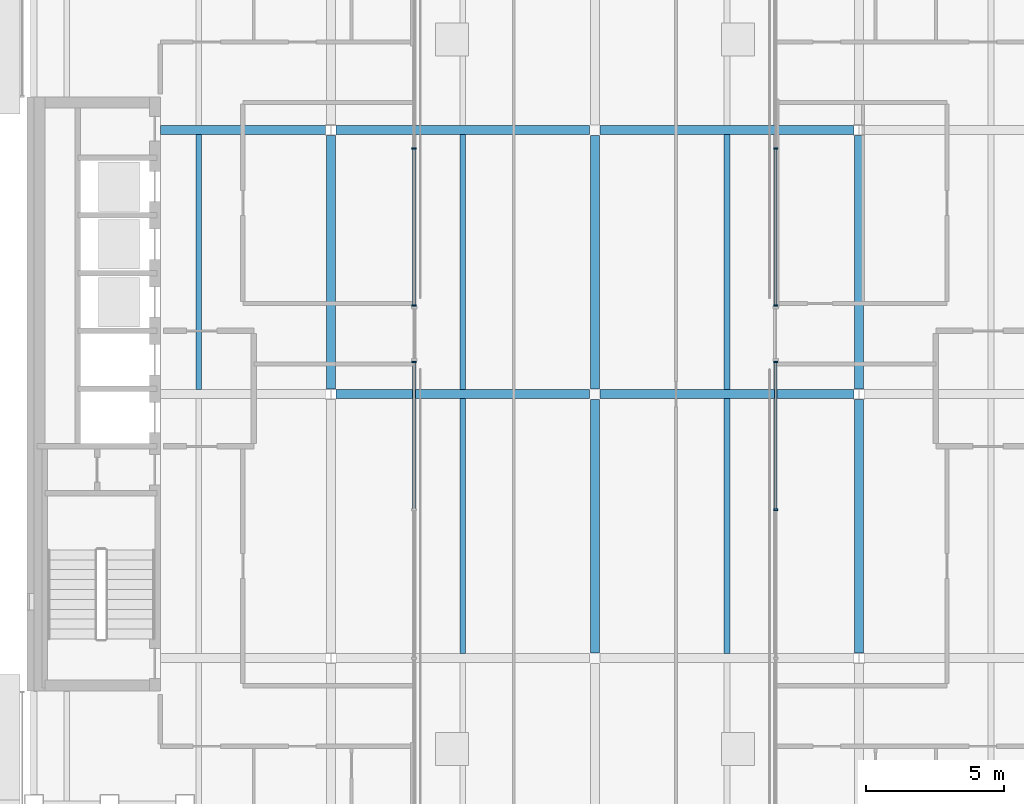
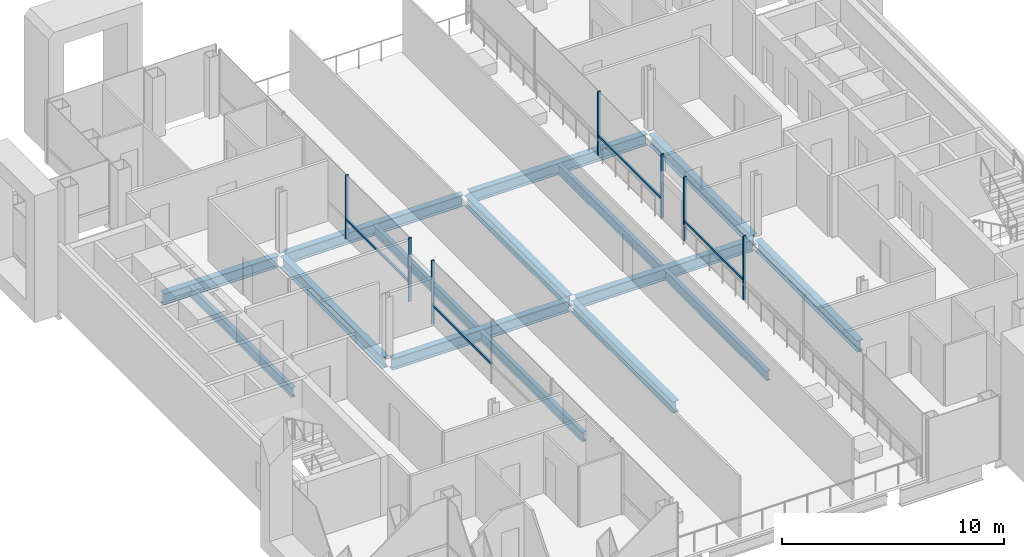
# One storey, part 5 of 17: 15 beams, 11 members, 4 elements without a shape of their own.
"""IFC4 building model written with IfcOpenShell, lengths in metres."""

import ifcopenshell
import ifcopenshell.guid

model = None  # the IFC model being written
_history = None  # IfcOwnerHistory: only IFC2X3 demands one
_inside = {}  # id of a spatial element -> (the spatial element, [elements in it])
_under = {}  # id of a project, library or spatial element -> (it, [spatial elements below it])
_declared = {}  # id of a project -> (the project, [libraries it declares])
_typed = {}  # id of a type object -> (the type object, [elements of that type])
_made_of = {}  # id of a material, layer set ... -> (it, [elements and type objects made of it])


def new_model(schema):
    """Start an empty IFC model of exactly this schema.

    Asked for "IFC4X3", IfcOpenShell would pick the latest addendum, in which some entities
    have other attributes; the version numbers below select the first issue.
    IFC2X3 requires an IfcOwnerHistory on every rooted entity: one is made here for all.
    """
    global model, _history
    if schema == "IFC4X3":
        model = ifcopenshell.file(schema_version=(4, 3, 0, 0))
    else:
        model = ifcopenshell.file(schema=schema)
    _inside.clear()
    _under.clear()
    _declared.clear()
    _typed.clear()
    _made_of.clear()
    _history = None
    if model.schema == "IFC2X3":
        org = make("IfcOrganization", Name="unknown")
        user = make(
            "IfcPersonAndOrganization",
            ThePerson=make("IfcPerson", FamilyName="unknown"),
            TheOrganization=org,
        )
        app = make(
            "IfcApplication",
            ApplicationDeveloper=org,
            Version="unknown",
            ApplicationFullName="unknown",
            ApplicationIdentifier="unknown",
        )
        _history = make(
            "IfcOwnerHistory",
            OwningUser=user,
            OwningApplication=app,
            ChangeAction="ADDED",
            CreationDate=0,
        )
    return model


def make(cls, **values):
    """One entity of the class cls with the attributes given. An attribute that is None is left unset."""
    return model.create_entity(
        cls, **{name: value for name, value in values.items() if value is not None}
    )


def rooted(cls, **values):
    """An entity with a GlobalId (a new one), such as an element, a storey or a relation."""
    return make(cls, GlobalId=ifcopenshell.guid.new(), OwnerHistory=_history, **values)


def si_unit(unit_type, name, prefix=None):
    """IfcSIUnit, for example si_unit("LENGTHUNIT", "METRE", prefix="MILLI")."""
    return make("IfcSIUnit", UnitType=unit_type, Prefix=prefix, Name=name)


def assignment(units):
    """IfcUnitAssignment: the units of a project."""
    return None if units is None else make("IfcUnitAssignment", Units=units)


def point(xyz):
    """IfcCartesianPoint."""
    return None if xyz is None else make("IfcCartesianPoint", Coordinates=xyz)


def direction(xyz):
    """IfcDirection."""
    return None if xyz is None else make("IfcDirection", DirectionRatios=xyz)


def frame(location, z_axis=None, x_axis=None):
    """IfcAxis2Placement3D, a coordinate frame: its origin and axes. An axis left out is left unset."""
    return make(
        "IfcAxis2Placement3D",
        Location=point(location),
        Axis=direction(z_axis),
        RefDirection=direction(x_axis),
    )


def frame_2d(location, x_axis=None):
    """IfcAxis2Placement2D, a coordinate frame in the plane: its origin and x axis."""
    return make(
        "IfcAxis2Placement2D", Location=point(location), RefDirection=direction(x_axis)
    )


def origin():
    """The frame at (0, 0, 0) with its axes left unset."""
    return frame((0.0, 0.0, 0.0))


def origin_2d():
    """The frame at (0, 0) in the plane with its x axis left unset."""
    return frame_2d((0.0, 0.0))


def place(relative_to, where):
    """IfcLocalPlacement: puts the frame where relative to a parent placement (None: the world)."""
    return make(
        "IfcLocalPlacement", PlacementRelTo=relative_to, RelativePlacement=where
    )


def context(
    kind, dimensions, precision=None, world=None, true_north=None, identifier=None
):
    """IfcGeometricRepresentationContext, for example the 3D "Model" context."""
    return make(
        "IfcGeometricRepresentationContext",
        ContextIdentifier=identifier,
        ContextType=kind,
        CoordinateSpaceDimension=dimensions,
        Precision=precision,
        WorldCoordinateSystem=world,
        TrueNorth=true_north,
    )


def subcontext(parent, identifier, kind, view, scale=None):
    """IfcGeometricRepresentationSubContext, for example "Body" below "Model"."""
    return make(
        "IfcGeometricRepresentationSubContext",
        ContextIdentifier=identifier,
        ContextType=kind,
        ParentContext=parent,
        TargetScale=scale,
        TargetView=view,
    )


def project(units=None, contexts=None):
    """IfcProject with its units and contexts."""
    return rooted(
        "IfcProject",
        Name="project",
        RepresentationContexts=contexts,
        UnitsInContext=assignment(units),
    )


def spatial(cls, under=None, at=None, **own):
    """A site, building, storey or space (cls), placed at a placement, below another one or the project."""
    s = rooted(cls, ObjectPlacement=at, **own)
    if under is not None:
        _under.setdefault(under.id(), (under, []))[1].append(s)
    return s


def profile(cls, at=None, kind="AREA", **sizes):
    """A parametric profile (cls). Its sizes go by their IFC names, for example OverallWidth=200.0."""
    return make(cls, ProfileType=kind, Position=at, **sizes)


def rectangle(**sizes):
    """IfcRectangleProfileDef."""
    return profile("IfcRectangleProfileDef", **sizes)


def i_section(**sizes):
    """IfcIShapeProfileDef."""
    return profile("IfcIShapeProfileDef", **sizes)


def extrude(swept, where, along, depth):
    """IfcExtrudedAreaSolid: the profile swept, set in the frame where, extruded along a direction by depth."""
    return make(
        "IfcExtrudedAreaSolid",
        SweptArea=swept,
        Position=where,
        ExtrudedDirection=direction(along),
        Depth=depth,
    )


def shape(context_of_items, identifier, shape_type, items):
    """IfcShapeRepresentation: the items that make up one representation, for example the "Body"."""
    return make(
        "IfcShapeRepresentation",
        ContextOfItems=context_of_items,
        RepresentationIdentifier=identifier,
        RepresentationType=shape_type,
        Items=items,
    )


def material(Name=None, Category=None):
    """IfcMaterial."""
    return make("IfcMaterial", Name=Name, Category=Category)


def material_profile(
    of_material, cross_section, Name=None, Category=None, Priority=None
):
    """IfcMaterialProfile: a cross section and its material."""
    return make(
        "IfcMaterialProfile",
        Name=Name,
        Material=of_material,
        Profile=cross_section,
        Priority=Priority,
        Category=Category,
    )


def profile_set(profiles, Name=None, composite=None):
    """IfcMaterialProfileSet."""
    return make(
        "IfcMaterialProfileSet",
        Name=Name,
        MaterialProfiles=profiles,
        CompositeProfile=composite,
    )


def made_of(thing, what):
    """Note that an element or type object is made of a material, layer set ...; save() writes the relation."""
    if what is not None:
        _made_of.setdefault(what.id(), (what, []))[1].append(thing)
    return thing


def type_object(cls, material=None, **own):
    """A type object (cls), such as IfcWallType, which elements share."""
    return made_of(rooted(cls, **own), material)


def element(
    cls,
    number,
    at=None,
    inside=None,
    cuts=None,
    type_object=None,
    material=None,
    context=None,
    identifier="Body",
    shape_type=None,
    held_by="IfcProductDefinitionShape",
    body=None,
    shapes=None,
    **own,
):
    """One element of the class cls, such as IfcWall. Its Tag is "e" and its number.

    at: its placement. inside: the storey or other place that contains it. cuts: it is an
    opening in that element (IfcRelVoidsElement). A single representation is given by context,
    identifier, shape_type and body (its items); several are given by shapes. held_by: the class
    of the entity that holds the representations. save() writes the other relations.
    """
    e = rooted(cls, Tag="e%d" % number, ObjectPlacement=at, **own)
    if body is not None:
        shapes = [shape(context, identifier, shape_type, body)]
    if shapes is not None:
        e.Representation = make(held_by, Representations=shapes)
    if inside is not None:
        _inside.setdefault(inside.id(), (inside, []))[1].append(e)
    if cuts is not None:
        rooted(
            "IfcRelVoidsElement", RelatingBuildingElement=cuts, RelatedOpeningElement=e
        )
    if type_object is not None:
        _typed.setdefault(type_object.id(), (type_object, []))[1].append(e)
    return made_of(e, material)


def aggregate(whole, parts):
    """IfcRelAggregates: a whole, such as a stair, and the parts it consists of."""
    return rooted("IfcRelAggregates", RelatingObject=whole, RelatedObjects=parts)


def save(model, path):
    """Write the relations noted so far, then the file.

    IfcRelAggregates (storeys below a building ...), IfcRelContainedInSpatialStructure (elements
    in a storey), IfcRelDefinesByType, IfcRelAssociatesMaterial and IfcRelDeclares: one each for
    every whole, place, type object, material and project.
    """
    for whole, parts in _under.values():
        aggregate(whole, parts)
    for where, things in _inside.values():
        rooted(
            "IfcRelContainedInSpatialStructure",
            RelatedElements=things,
            RelatingStructure=where,
        )
    for kind, things in _typed.values():
        rooted("IfcRelDefinesByType", RelatedObjects=things, RelatingType=kind)
    for what, things in _made_of.values():
        rooted("IfcRelAssociatesMaterial", RelatedObjects=things, RelatingMaterial=what)
    for by, libraries in _declared.values():
        rooted("IfcRelDeclares", RelatingContext=by, RelatedDefinitions=libraries)
    model.write(path)


model = new_model("IFC4")

# Units and contexts
model_context = context("Model", 3, precision=1e-05, world=origin(), true_north=direction((0.0, 1.0)))
body_context = subcontext(model_context, "Body", "Model", "MODEL_VIEW")
ifc_project = project(units=[si_unit("LENGTHUNIT", "METRE"), si_unit("AREAUNIT", "SQUARE_METRE"), si_unit("VOLUMEUNIT", "CUBIC_METRE"), si_unit("PLANEANGLEUNIT", "RADIAN"), si_unit("MASSUNIT", "GRAM", prefix="KILO")], contexts=[model_context])

# Site, building, storey
site_placement = place(None, origin())
site = spatial("IfcSite", under=ifc_project, at=site_placement, CompositionType="ELEMENT")
building_placement = place(site_placement, origin())
building = spatial("IfcBuilding", under=site, at=building_placement, Name="Cobrizo Arcos Hotel Tower", CompositionType="ELEMENT")
storey_placement = place(building_placement, frame((0.0, 0.0, 219.0)))
storey = spatial("IfcBuildingStorey", under=building, at=storey_placement, Name="L57", CompositionType="ELEMENT", Elevation=219.0)

# Curtain wall, members
ifc_material_1 = material(Name="Aluminium 6063-T6 anodised bronze", Category="aluminium")
curtain_wall_type = type_object("IfcCurtainWallType", Name="CW-F void screen", PredefinedType="NOTDEFINED", material=ifc_material_1)
curtain_wall_1_placement = place(storey_placement, origin())
curtain_wall_1 = element("IfcCurtainWall", 1, at=curtain_wall_1_placement, inside=storey, type_object=curtain_wall_type, Name="CW-F L57 void screen C", PredefinedType="NOTDEFINED")
ifc_material_profile_1 = material_profile(ifc_material_1, rectangle(XDim=0.14990234375, YDim=0.06005859375, at=origin_2d()), Name="CW-F mullion 150x60")
ifc_profile_set_1 = profile_set([ifc_material_profile_1], Name="Aluminium 6063-T6 anodised bronze")
member_type_1 = type_object("IfcMemberType", Name="CW-F mullion 150x60", PredefinedType="MULLION", material=ifc_profile_set_1)
member_1_placement = place(storey_placement, frame((6.574951171875, -4.199951171875, 0.0), z_axis=(0.0, 0.0, 1.0), x_axis=(1.0, 0.0, 0.0)))
member_1 = element("IfcMember", 2, at=member_1_placement, type_object=member_type_1, Name="CW-F mullion 4", PredefinedType="MULLION", context=body_context, shape_type="SweptSolid", body=[
    extrude(rectangle(XDim=0.14990234375, YDim=0.06005859375, at=origin_2d()), origin(), (0.0, 0.0, 1.0), 3.5),
])
member_2_placement = place(storey_placement, frame((6.574951171875, 1.169921875, 0.0), z_axis=(0.0, 0.0, 1.0), x_axis=(1.0, 0.0, 0.0)))
member_2 = element("IfcMember", 3, at=member_2_placement, type_object=member_type_1, Name="CW-F mullion 5", PredefinedType="MULLION", context=body_context, shape_type="SweptSolid", body=[
    extrude(rectangle(XDim=0.14990234375, YDim=0.06005859375, at=origin_2d()), origin(), (0.0, 0.0, 1.0), 3.5),
])

curtain_wall_2_placement = place(storey_placement, origin())
curtain_wall_2 = element("IfcCurtainWall", 4, at=curtain_wall_2_placement, inside=storey, type_object=curtain_wall_type, Name="CW-F L57 void screen C", PredefinedType="NOTDEFINED")
member_3_placement = place(storey_placement, frame((6.574951171875, 3.22998046875, 0.0), z_axis=(0.0, 0.0, 1.0), x_axis=(1.0, 0.0, 0.0)))
member_3 = element("IfcMember", 5, at=member_3_placement, type_object=member_type_1, Name="CW-F mullion 1", PredefinedType="MULLION", context=body_context, shape_type="SweptSolid", body=[
    extrude(rectangle(XDim=0.14990234375, YDim=0.06005859375, at=origin_2d()), origin(), (0.0, 0.0, 1.0), 3.5),
])
member_4_placement = place(storey_placement, frame((6.574951171875, 8.933349609375, 0.0), z_axis=(0.0, 0.0, 1.0), x_axis=(1.0, 0.0, 0.0)))
member_4 = element("IfcMember", 6, at=member_4_placement, type_object=member_type_1, Name="CW-F mullion 2", PredefinedType="MULLION", context=body_context, shape_type="SweptSolid", body=[
    extrude(rectangle(XDim=0.14990234375, YDim=0.06005859375, at=origin_2d()), origin(), (0.0, 0.0, 1.0), 3.5),
])

curtain_wall_3_placement = place(storey_placement, origin())
curtain_wall_3 = element("IfcCurtainWall", 7, at=curtain_wall_3_placement, inside=storey, type_object=curtain_wall_type, Name="CW-F L57 void screen C", PredefinedType="NOTDEFINED")
member_5_placement = place(storey_placement, frame((-6.574951171875, 8.933349609375, 0.0), z_axis=(0.0, 0.0, 1.0), x_axis=(-1.0, 0.0, 0.0)))
member_5 = element("IfcMember", 8, at=member_5_placement, type_object=member_type_1, Name="CW-F mullion 3", PredefinedType="MULLION", context=body_context, shape_type="SweptSolid", body=[
    extrude(rectangle(XDim=0.14990234375, YDim=0.06005859375, at=origin_2d()), origin(), (0.0, 0.0, 1.0), 3.5),
])
member_6_placement = place(storey_placement, frame((-6.574951171875, 3.22998046875, 0.0), z_axis=(0.0, 0.0, 1.0), x_axis=(-1.0, 0.0, 0.0)))
member_6 = element("IfcMember", 9, at=member_6_placement, type_object=member_type_1, Name="CW-F mullion 4", PredefinedType="MULLION", context=body_context, shape_type="SweptSolid", body=[
    extrude(rectangle(XDim=0.14990234375, YDim=0.06005859375, at=origin_2d()), origin(), (0.0, 0.0, 1.0), 3.5),
])

# Curtain wall, member
curtain_wall_4_placement = place(storey_placement, origin())
curtain_wall_4 = element("IfcCurtainWall", 10, at=curtain_wall_4_placement, inside=storey, type_object=curtain_wall_type, Name="CW-F L57 void screen C", PredefinedType="NOTDEFINED")
member_7_placement = place(storey_placement, frame((-6.574951171875, 1.169921875, 0.0), z_axis=(0.0, 0.0, 1.0), x_axis=(-1.0, 0.0, 0.0)))
member_7 = element("IfcMember", 11, at=member_7_placement, type_object=member_type_1, Name="CW-F mullion 1", PredefinedType="MULLION", context=body_context, shape_type="SweptSolid", body=[
    extrude(rectangle(XDim=0.14990234375, YDim=0.06005859375, at=origin_2d()), origin(), (0.0, 0.0, 1.0), 3.5),
])

# Member
ifc_material_profile_2 = material_profile(ifc_material_1, rectangle(XDim=0.10009765625, YDim=0.1201171875, at=origin_2d()), Name="CW-F transom 120x100")
ifc_profile_set_2 = profile_set([ifc_material_profile_2], Name="Aluminium 6063-T6 anodised bronze")
member_type_2 = type_object("IfcMemberType", Name="CW-F transom 120x100", PredefinedType="USERDEFINED", material=ifc_profile_set_2)
member_8_placement = place(storey_placement, frame((6.574951171875, -4.169921875, 1.050048828125), z_axis=(0.0, 1.0, 0.0), x_axis=(-1.0, 0.0, 0.0)))
member_8 = element("IfcMember", 12, at=member_8_placement, type_object=member_type_2, Name="CW-F transom 2689", ObjectType="TRANSOM", PredefinedType="USERDEFINED", context=body_context, shape_type="SweptSolid", body=[
    extrude(rectangle(XDim=0.10009765625, YDim=0.1201171875, at=origin_2d()), origin(), (0.0, 0.0, 1.0), 5.309814453125),
])

aggregate(curtain_wall_1, [member_1, member_2, member_8])

member_9_placement = place(storey_placement, frame((6.574951171875, 3.260009765625, 1.050048828125), z_axis=(0.0, 1.0, 0.0), x_axis=(-1.0, 0.0, 0.0)))
member_9 = element("IfcMember", 13, at=member_9_placement, type_object=member_type_2, Name="CW-F transom 2690", ObjectType="TRANSOM", PredefinedType="USERDEFINED", context=body_context, shape_type="SweptSolid", body=[
    extrude(rectangle(XDim=0.10009765625, YDim=0.1201171875, at=origin_2d()), origin(), (0.0, 0.0, 1.0), 5.643310546875),
])

aggregate(curtain_wall_2, [member_3, member_4, member_9])

member_10_placement = place(storey_placement, frame((-6.574951171875, 8.9033203125, 1.050048828125), z_axis=(0.0, -1.0, 0.0), x_axis=(1.0, 0.0, 0.0)))
member_10 = element("IfcMember", 14, at=member_10_placement, type_object=member_type_2, Name="CW-F transom 2695", ObjectType="TRANSOM", PredefinedType="USERDEFINED", context=body_context, shape_type="SweptSolid", body=[
    extrude(rectangle(XDim=0.10009765625, YDim=0.1201171875, at=origin_2d()), origin(), (0.0, 0.0, 1.0), 5.643310546875),
])

aggregate(curtain_wall_3, [member_5, member_6, member_10])

member_11_placement = place(storey_placement, frame((-6.574951171875, 1.139892578125, 1.050048828125), z_axis=(0.0, -1.0, 0.0), x_axis=(1.0, 0.0, 0.0)))
member_11 = element("IfcMember", 15, at=member_11_placement, type_object=member_type_2, Name="CW-F transom 2696", ObjectType="TRANSOM", PredefinedType="USERDEFINED", context=body_context, shape_type="SweptSolid", body=[
    extrude(rectangle(XDim=0.10009765625, YDim=0.1201171875, at=origin_2d()), origin(), (0.0, 0.0, 1.0), 5.309814453125),
])

aggregate(curtain_wall_4, [member_7, member_11])

# Beams
ifc_material_2 = material(Name="Steel ASTM A992 Grade 50", Category="steel")
ifc_material_profile_3 = material_profile(ifc_material_2, i_section(OverallWidth=0.209228515625, OverallDepth=0.533447265625, WebThickness=0.01025390625, FlangeThickness=0.015625, at=origin_2d()), Name="W21X62")
ifc_profile_set_3 = profile_set([ifc_material_profile_3], Name="Steel ASTM A992 Grade 50")
beam_type_1 = type_object("IfcBeamType", Name="W21X62 joist", PredefinedType="JOIST", material=ifc_profile_set_3)
for number, where, z_axis, x_axis, name in (
    (16, (-14.39990234375, 0.163818359375, -0.416748046875), (0.0, 1.0, 0.0), (-1.0, 0.0, 0.0), "Floor joist J1, L57, no. 005"),
    (17, (-4.800048828125, -9.43603515625, -0.416748046875), (0.0, 1.0, 0.0), (-1.0, 0.0, 0.0), "Floor joist J1, L57, no. 008"),
    (18, (-4.800048828125, 0.163818359375, -0.416748046875), (0.0, 1.0, 0.0), (-1.0, 0.0, 0.0), "Floor joist J1, L57, no. 009"),
    (19, (4.800048828125, -9.43603515625, -0.416748046875), (0.0, 1.0, 0.0), (-1.0, 0.0, 0.0), "Floor joist J1, L57, no. 012"),
    (20, (4.800048828125, 0.163818359375, -0.416748046875), (0.0, 1.0, 0.0), (-1.0, 0.0, 0.0), "Floor joist J1, L57, no. 013"),
):
    element("IfcBeam", number, at=place(storey_placement, frame(where, z_axis=z_axis, x_axis=x_axis)), inside=storey, type_object=beam_type_1, Name=name, PredefinedType="JOIST", context=body_context, shape_type="SweptSolid", body=[
        extrude(i_section(OverallWidth=0.209228515625, OverallDepth=0.533447265625, WebThickness=0.01025390625, FlangeThickness=0.015625, at=origin_2d()), origin(), (0.0, 0.0, 1.0), 9.272216796875),
    ])
ifc_material_profile_4 = material_profile(ifc_material_2, i_section(OverallWidth=0.32763671875, OverallDepth=0.622314453125, WebThickness=0.015380859375, FlangeThickness=0.0244140625, at=origin_2d()), Name="W24X131")
ifc_profile_set_4 = profile_set([ifc_material_profile_4], Name="Steel ASTM A992 Grade 50")
beam_type_2 = type_object("IfcBeamType", Name="W24X131 girder", PredefinedType="BEAM", material=ifc_profile_set_4)
for number, where, z_axis, x_axis, name in (
    (21, (-9.413330078125, 0.0, -0.461181640625), (1.0, 0.0, 0.0), (0.0, 1.0, 0.0), "Floor girder G1, L57, no. 006"),
    (22, (0.186767578125, 0.0, -0.461181640625), (1.0, 0.0, 0.0), (0.0, 1.0, 0.0), "Floor girder G1, L57, no. 007"),
):
    element("IfcBeam", number, at=place(storey_placement, frame(where, z_axis=z_axis, x_axis=x_axis)), inside=storey, type_object=beam_type_2, Name=name, PredefinedType="BEAM", context=body_context, shape_type="SweptSolid", body=[
        extrude(i_section(OverallWidth=0.32763671875, OverallDepth=0.622314453125, WebThickness=0.015380859375, FlangeThickness=0.0244140625, at=origin_2d()), origin(), (0.0, 0.0, 1.0), 9.2265625),
    ])
beam_placement = place(storey_placement, frame((-15.7900390625, 9.60009765625, -0.461181640625), z_axis=(1.0, 0.0, 0.0), x_axis=(0.0, 1.0, 0.0)))
element("IfcBeam", 23, at=beam_placement, inside=storey, type_object=beam_type_2, Name="Floor girder G1, L57, no. 009", PredefinedType="BEAM", context=body_context, shape_type="SweptSolid", body=[
    extrude(i_section(OverallWidth=0.32763671875, OverallDepth=0.622314453125, WebThickness=0.015380859375, FlangeThickness=0.0244140625, at=origin_2d()), origin(), (0.0, 0.0, 1.0), 6.00341796875),
])
for number, where, z_axis, x_axis, name in (
    (24, (-9.413330078125, 9.60009765625, -0.461181640625), (1.0, 0.0, 0.0), (0.0, 1.0, 0.0), "Floor girder G1, L57, no. 010"),
    (25, (0.186767578125, 9.60009765625, -0.461181640625), (1.0, 0.0, 0.0), (0.0, 1.0, 0.0), "Floor girder G1, L57, no. 011"),
    (26, (-9.60009765625, 0.186767578125, -0.461181640625), (0.0, 1.0, 0.0), (-1.0, 0.0, 0.0), "Floor girder G1, L57, no. 015"),
    (27, (0.0, -9.413330078125, -0.461181640625), (0.0, 1.0, 0.0), (-1.0, 0.0, 0.0), "Floor girder G1, L57, no. 018"),
    (28, (0.0, 0.186767578125, -0.461181640625), (0.0, 1.0, 0.0), (-1.0, 0.0, 0.0), "Floor girder G1, L57, no. 019"),
    (29, (9.60009765625, -9.413330078125, -0.461181640625), (0.0, 1.0, 0.0), (-1.0, 0.0, 0.0), "Floor girder G1, L57, no. 022"),
    (30, (9.60009765625, 0.186767578125, -0.461181640625), (0.0, 1.0, 0.0), (-1.0, 0.0, 0.0), "Floor girder G1, L57, no. 023"),
):
    element("IfcBeam", number, at=place(storey_placement, frame(where, z_axis=z_axis, x_axis=x_axis)), inside=storey, type_object=beam_type_2, Name=name, PredefinedType="BEAM", context=body_context, shape_type="SweptSolid", body=[
        extrude(i_section(OverallWidth=0.32763671875, OverallDepth=0.622314453125, WebThickness=0.015380859375, FlangeThickness=0.0244140625, at=origin_2d()), origin(), (0.0, 0.0, 1.0), 9.2265625),
    ])

save(model, "model.ifc")
